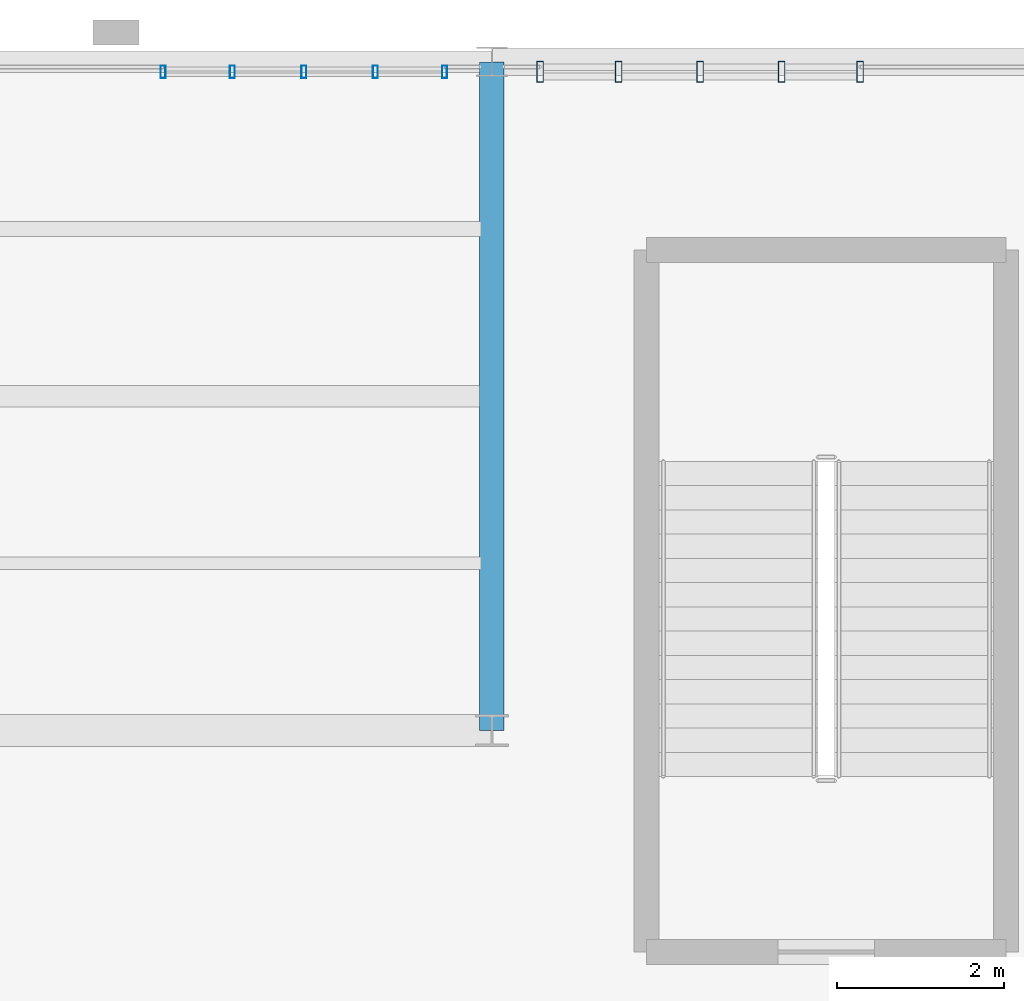
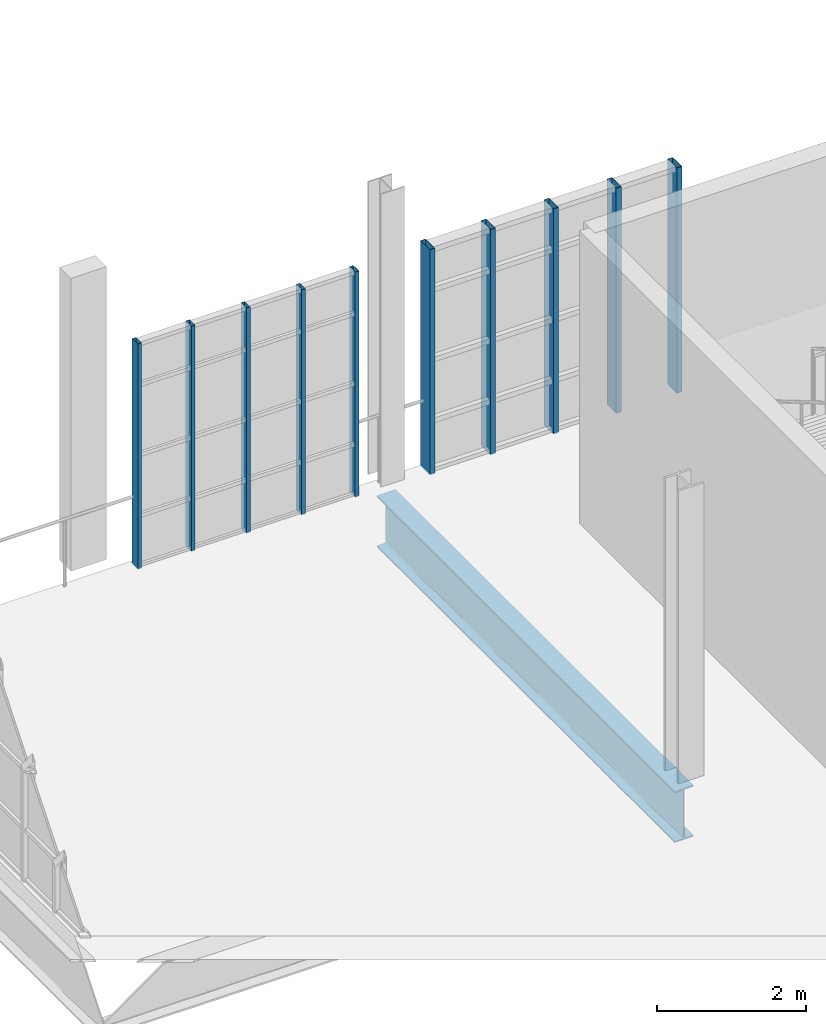
# One storey, part 62 of 118: 10 members, 1 beam, 2 elements without a shape of their own.
"""IFC4 building model written with IfcOpenShell, lengths in metres."""

from ifc_helpers import new_model, si_unit, direction, frame, origin, origin_2d, place, context, subcontext, project, spatial, hollow_rectangle, i_section, extrude, material, layer, layer_set, material_profile, profile_set, type_object, element, aggregate, save


model = new_model("IFC4")

# Units and contexts
model_context = context("Model", 3, precision=1e-05, world=origin(), true_north=direction((0.0, 1.0)))
body_context = subcontext(model_context, "Body", "Model", "MODEL_VIEW")
ifc_project = project(units=[si_unit("LENGTHUNIT", "METRE"), si_unit("AREAUNIT", "SQUARE_METRE"), si_unit("VOLUMEUNIT", "CUBIC_METRE"), si_unit("PLANEANGLEUNIT", "RADIAN"), si_unit("MASSUNIT", "GRAM", prefix="KILO"), si_unit("THERMODYNAMICTEMPERATUREUNIT", "KELVIN"), si_unit("POWERUNIT", "WATT")], contexts=[model_context])

# Site, building, storey
site_placement = place(None, origin())
site = spatial("IfcSite", under=ifc_project, at=site_placement, CompositionType="ELEMENT")
building_placement = place(site_placement, origin())
building = spatial("IfcBuilding", under=site, at=building_placement, Name="Zelmaris Science Centre", CompositionType="ELEMENT")
storey_placement = place(building_placement, frame((0.0, 0.0, 15.60009765625)))
storey = spatial("IfcBuildingStorey", under=building, at=storey_placement, Name="L03", CompositionType="ELEMENT", Elevation=15.60009765625)

# Curtain wall, members
ifc_material_1 = material(Name="Anodised architectural aluminium 6063-T6", Category="aluminium")
ifc_layer_1 = layer(ifc_material_1, 0.219970703125, Name="Anodised architectural aluminium 6063-T6")
ifc_layer_set_1 = layer_set([ifc_layer_1], Name="Anodised architectural aluminium 6063-T6")
curtain_wall_type_1 = type_object("IfcCurtainWallType", Name="Curtain Wall CW-04", PredefinedType="USERDEFINED", material=ifc_layer_set_1)
curtain_wall_1_placement = place(storey_placement, origin())
curtain_wall_1 = element("IfcCurtainWall", 1, at=curtain_wall_1_placement, inside=storey, type_object=curtain_wall_type_1, Name="L03 Unitised curtain wall 280", ObjectType="GLAZED CURTAIN WALL", PredefinedType="USERDEFINED")
ifc_material_profile_1 = material_profile(ifc_material_1, hollow_rectangle(XDim=0.06005859375, YDim=0.14990234375, WallThickness=0.00341796875, at=origin_2d()), Name="ALU-MUL-60X150")
ifc_profile_set_1 = profile_set([ifc_material_profile_1], Name="Anodised architectural aluminium 6063-T6")
member_type_1 = type_object("IfcMemberType", Name="ALU-MUL-60X150", PredefinedType="MULLION", material=ifc_profile_set_1)
member_1_placement = place(storey_placement, frame((59.06591796875, 87.8798828125, -0.01513671875), z_axis=(0.0, 0.0, 1.0), x_axis=(1.0, 0.0, 0.0)))
member_1 = element("IfcMember", 2, at=member_1_placement, type_object=member_type_1, Name="CW-04 mullion 1", PredefinedType="MULLION", context=body_context, shape_type="SweptSolid", body=[
    extrude(hollow_rectangle(XDim=0.06005859375, YDim=0.14990234375, WallThickness=0.00341796875, at=origin_2d()), origin(), (0.0, 0.0, 1.0), 3.694091796875),
])
member_2_placement = place(storey_placement, frame((59.89501953125, 87.8798828125, -0.01513671875), z_axis=(0.0, 0.0, 1.0), x_axis=(1.0, 0.0, 0.0)))
member_2 = element("IfcMember", 3, at=member_2_placement, type_object=member_type_1, Name="CW-04 mullion 2", PredefinedType="MULLION", context=body_context, shape_type="SweptSolid", body=[
    extrude(hollow_rectangle(XDim=0.06005859375, YDim=0.14990234375, WallThickness=0.00341796875, at=origin_2d()), origin(), (0.0, 0.0, 1.0), 3.694091796875),
])
member_3_placement = place(storey_placement, frame((60.75, 87.8798828125, -0.01513671875), z_axis=(0.0, 0.0, 1.0), x_axis=(1.0, 0.0, 0.0)))
member_3 = element("IfcMember", 4, at=member_3_placement, type_object=member_type_1, Name="CW-04 mullion 3", PredefinedType="MULLION", context=body_context, shape_type="SweptSolid", body=[
    extrude(hollow_rectangle(XDim=0.06005859375, YDim=0.14990234375, WallThickness=0.00341796875, at=origin_2d()), origin(), (0.0, 0.0, 1.0), 3.694091796875),
])
member_4_placement = place(storey_placement, frame((61.60498046875, 87.8798828125, -0.01513671875), z_axis=(0.0, 0.0, 1.0), x_axis=(1.0, 0.0, 0.0)))
member_4 = element("IfcMember", 5, at=member_4_placement, type_object=member_type_1, Name="CW-04 mullion 4", PredefinedType="MULLION", context=body_context, shape_type="SweptSolid", body=[
    extrude(hollow_rectangle(XDim=0.06005859375, YDim=0.14990234375, WallThickness=0.00341796875, at=origin_2d()), origin(), (0.0, 0.0, 1.0), 3.694091796875),
])
member_5_placement = place(storey_placement, frame((62.43408203125, 87.8798828125, -0.01513671875), z_axis=(0.0, 0.0, 1.0), x_axis=(1.0, 0.0, 0.0)))
member_5 = element("IfcMember", 6, at=member_5_placement, type_object=member_type_1, Name="CW-04 mullion 5", PredefinedType="MULLION", context=body_context, shape_type="SweptSolid", body=[
    extrude(hollow_rectangle(XDim=0.06005859375, YDim=0.14990234375, WallThickness=0.00341796875, at=origin_2d()), origin(), (0.0, 0.0, 1.0), 3.694091796875),
])
aggregate(curtain_wall_1, [member_1, member_2, member_3, member_4, member_5])

ifc_layer_2 = layer(ifc_material_1, 0.18994140625, Name="Anodised architectural aluminium 6063-T6")
ifc_layer_set_2 = layer_set([ifc_layer_2], Name="Anodised architectural aluminium 6063-T6")
curtain_wall_type_2 = type_object("IfcCurtainWallType", Name="Curtain Wall CW-01", PredefinedType="USERDEFINED", material=ifc_layer_set_2)
curtain_wall_2_placement = place(storey_placement, origin())
curtain_wall_2 = element("IfcCurtainWall", 7, at=curtain_wall_2_placement, inside=storey, type_object=curtain_wall_type_2, Name="L03 Unitised curtain wall 281", ObjectType="GLAZED CURTAIN WALL", PredefinedType="USERDEFINED")
ifc_material_profile_2 = material_profile(ifc_material_1, hollow_rectangle(XDim=0.080078125, YDim=0.25, WallThickness=0.0048828125, at=origin_2d()), Name="ALU-MUL-80X250")
ifc_profile_set_2 = profile_set([ifc_material_profile_2], Name="Anodised architectural aluminium 6063-T6")
member_type_2 = type_object("IfcMemberType", Name="ALU-MUL-80X250", PredefinedType="MULLION", material=ifc_profile_set_2)
member_6_placement = place(storey_placement, frame((63.575927734375, 87.8798828125, -0.01513671875), z_axis=(0.0, 0.0, 1.0), x_axis=(1.0, 0.0, 0.0)))
member_6 = element("IfcMember", 8, at=member_6_placement, type_object=member_type_2, Name="CW-01 mullion 1", PredefinedType="MULLION", context=body_context, shape_type="SweptSolid", body=[
    extrude(hollow_rectangle(XDim=0.080078125, YDim=0.25, WallThickness=0.0048828125, at=origin_2d()), origin(), (0.0, 0.0, 1.0), 3.694091796875),
])
member_7_placement = place(storey_placement, frame((64.514892578125, 87.8798828125, -0.01513671875), z_axis=(0.0, 0.0, 1.0), x_axis=(1.0, 0.0, 0.0)))
member_7 = element("IfcMember", 9, at=member_7_placement, type_object=member_type_2, Name="CW-01 mullion 2", PredefinedType="MULLION", context=body_context, shape_type="SweptSolid", body=[
    extrude(hollow_rectangle(XDim=0.080078125, YDim=0.25, WallThickness=0.0048828125, at=origin_2d()), origin(), (0.0, 0.0, 1.0), 3.694091796875),
])
member_8_placement = place(storey_placement, frame((65.489990234375, 87.8798828125, -0.01513671875), z_axis=(0.0, 0.0, 1.0), x_axis=(1.0, 0.0, 0.0)))
member_8 = element("IfcMember", 10, at=member_8_placement, type_object=member_type_2, Name="CW-01 mullion 3", PredefinedType="MULLION", context=body_context, shape_type="SweptSolid", body=[
    extrude(hollow_rectangle(XDim=0.080078125, YDim=0.25, WallThickness=0.0048828125, at=origin_2d()), origin(), (0.0, 0.0, 1.0), 3.694091796875),
])
member_9_placement = place(storey_placement, frame((66.465087890625, 87.8798828125, -0.01513671875), z_axis=(0.0, 0.0, 1.0), x_axis=(1.0, 0.0, 0.0)))
member_9 = element("IfcMember", 11, at=member_9_placement, type_object=member_type_2, Name="CW-01 mullion 4", PredefinedType="MULLION", context=body_context, shape_type="SweptSolid", body=[
    extrude(hollow_rectangle(XDim=0.080078125, YDim=0.25, WallThickness=0.0048828125, at=origin_2d()), origin(), (0.0, 0.0, 1.0), 3.694091796875),
])
member_10_placement = place(storey_placement, frame((67.404052734375, 87.8798828125, -0.01513671875), z_axis=(0.0, 0.0, 1.0), x_axis=(1.0, 0.0, 0.0)))
member_10 = element("IfcMember", 12, at=member_10_placement, type_object=member_type_2, Name="CW-01 mullion 5", PredefinedType="MULLION", context=body_context, shape_type="SweptSolid", body=[
    extrude(hollow_rectangle(XDim=0.080078125, YDim=0.25, WallThickness=0.0048828125, at=origin_2d()), origin(), (0.0, 0.0, 1.0), 3.694091796875),
])
aggregate(curtain_wall_2, [member_6, member_7, member_8, member_9, member_10])

# Beam
ifc_material_2 = material(Name="Steel ASTM A992 Grade 50", Category="steel")
ifc_material_profile_3 = material_profile(ifc_material_2, i_section(OverallWidth=0.2919921875, OverallDepth=0.841064453125, WebThickness=0.0146484375, FlangeThickness=0.021728515625, FilletRadius=0.02001953125, at=origin_2d()), Name="W33X130")
ifc_profile_set_3 = profile_set([ifc_material_profile_3], Name="Steel ASTM A992 Grade 50")
beam_type = type_object("IfcBeamType", Name="Beam G-07 W33X130", PredefinedType="BEAM", material=ifc_profile_set_3)
beam_placement = place(storey_placement, frame((63.0, 80.0, -0.6806640625), z_axis=(0.0, 1.0, 0.0), x_axis=(-1.0, 0.0, 0.0)))
element("IfcBeam", 13, at=beam_placement, inside=storey, type_object=beam_type, Name="L03 North-south girder 685", PredefinedType="BEAM", context=body_context, shape_type="SweptSolid", body=[
    extrude(i_section(OverallWidth=0.2919921875, OverallDepth=0.841064453125, WebThickness=0.0146484375, FlangeThickness=0.021728515625, FilletRadius=0.02001953125, at=origin_2d()), origin(), (0.0, 0.0, 1.0), 8.0),
])

save(model, "model.ifc")
